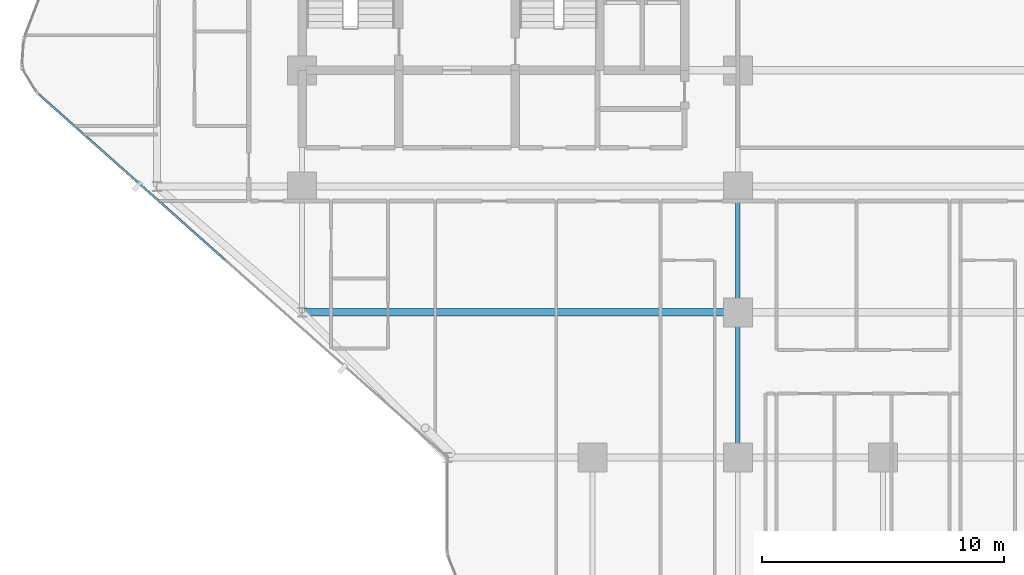
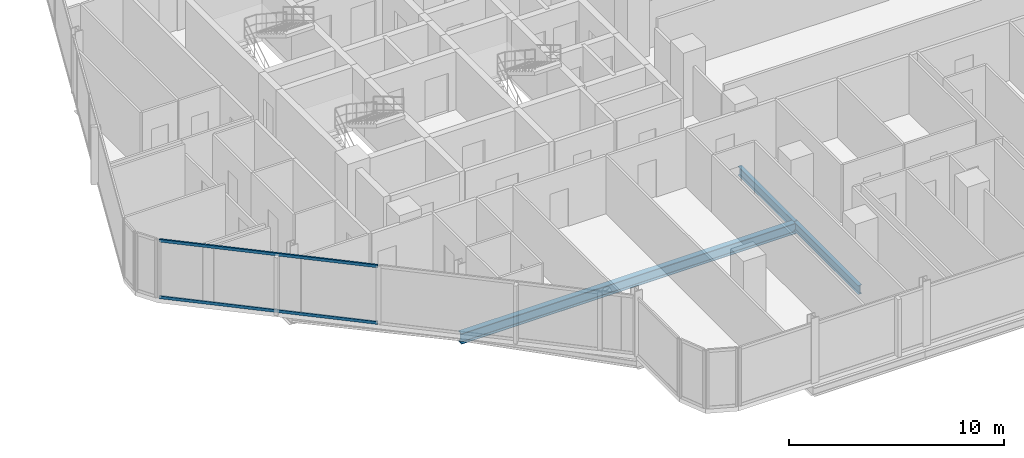
# One storey, part 5 of 34: 3 beams, 2 members, 1 element without a shape of its own.
"""IFC4 building model written with IfcOpenShell, lengths in metres."""

from ifc_helpers import new_model, si_unit, direction, frame, origin, origin_2d, place, context, subcontext, project, spatial, hollow_rectangle, i_section, extrude, material, layer, layer_set, material_profile, profile_set, type_object, element, aggregate, save


model = new_model("IFC4")

# Units and contexts
model_context = context("Model", 3, precision=1e-05, world=origin(), true_north=direction((0.0, 1.0)))
body_context = subcontext(model_context, "Body", "Model", "MODEL_VIEW")
ifc_project = project(units=[si_unit("LENGTHUNIT", "METRE"), si_unit("AREAUNIT", "SQUARE_METRE"), si_unit("VOLUMEUNIT", "CUBIC_METRE"), si_unit("PLANEANGLEUNIT", "RADIAN"), si_unit("MASSUNIT", "GRAM", prefix="KILO")], contexts=[model_context])

# Site, building, storey
site_placement = place(None, origin())
site = spatial("IfcSite", under=ifc_project, at=site_placement, CompositionType="ELEMENT")
building_placement = place(site_placement, origin())
building = spatial("IfcBuilding", under=site, at=building_placement, Name="Keshet Zoharim Tower", CompositionType="ELEMENT")
storey_placement = place(building_placement, frame((0.0, 0.0, 77.5)))
storey = spatial("IfcBuildingStorey", under=building, at=storey_placement, Name="L18", CompositionType="ELEMENT", Elevation=77.5)

# Beams
ifc_material_1 = material(Name="Steel S355", Category="steel")
ifc_material_profile_1 = material_profile(ifc_material_1, i_section(OverallWidth=0.300048828125, OverallDepth=0.60009765625, WebThickness=0.015380859375, FlangeThickness=0.030029296875, FilletRadius=0.027099609375, at=origin_2d()), Name="HEB600")
ifc_profile_set_1 = profile_set([ifc_material_profile_1], Name="Steel S355")
beam_type_1 = type_object("IfcBeamType", Name="BM-LNG-HB600", PredefinedType="BEAM", material=ifc_profile_set_1)
beam_1_placement = place(storey_placement, frame((15.0, 12.699951171875, -0.614990234375), z_axis=(1.0, 0.0, 0.0), x_axis=(0.0, 1.0, 0.0)))
element("IfcBeam", 1, at=beam_1_placement, inside=storey, type_object=beam_type_1, Name="L18 Primary Girder X-011", PredefinedType="BEAM", context=body_context, shape_type="SweptSolid", body=[
    extrude(i_section(OverallWidth=0.300048828125, OverallDepth=0.60009765625, WebThickness=0.015380859375, FlangeThickness=0.030029296875, FilletRadius=0.027099609375, at=origin_2d()), origin(), (0.0, 0.0, 1.0), 18.0),
])
ifc_material_profile_2 = material_profile(ifc_material_1, i_section(OverallWidth=0.199951171875, OverallDepth=0.5, WebThickness=0.01025390625, FlangeThickness=0.01611328125, FilletRadius=0.02099609375, at=origin_2d()), Name="IPE500")
ifc_profile_set_2 = profile_set([ifc_material_profile_2], Name="Steel S355")
beam_type_2 = type_object("IfcBeamType", Name="BM-PRI-IP500", PredefinedType="BEAM", material=ifc_profile_set_2)
beam_2_placement = place(storey_placement, frame((33.0, 6.699951171875, -0.56494140625), z_axis=(0.0, 1.0, 0.0), x_axis=(-1.0, 0.0, 0.0)))
element("IfcBeam", 2, at=beam_2_placement, inside=storey, type_object=beam_type_2, Name="L18 Primary Girder Y-006", PredefinedType="BEAM", context=body_context, shape_type="SweptSolid", body=[
    extrude(i_section(OverallWidth=0.199951171875, OverallDepth=0.5, WebThickness=0.01025390625, FlangeThickness=0.01611328125, FilletRadius=0.02099609375, at=origin_2d()), origin(), (0.0, 0.0, 1.0), 6.0),
])
beam_3_placement = place(storey_placement, frame((33.0, 12.699951171875, -0.56494140625), z_axis=(0.0, 1.0, 0.0), x_axis=(-1.0, 0.0, 0.0)))
element("IfcBeam", 3, at=beam_3_placement, inside=storey, type_object=beam_type_2, Name="L18 Primary Girder Y-007", PredefinedType="BEAM", context=body_context, shape_type="SweptSolid", body=[
    extrude(i_section(OverallWidth=0.199951171875, OverallDepth=0.5, WebThickness=0.01025390625, FlangeThickness=0.01611328125, FilletRadius=0.02099609375, at=origin_2d()), origin(), (0.0, 0.0, 1.0), 5.199951171875),
])

# Curtain wall, members
ifc_material_2 = material(Name="Aluminium 6063-T6", Category="aluminium")
ifc_layer = layer(ifc_material_2, 0.179931640625)
ifc_layer_set = layer_set([ifc_layer], Name="Aluminium 6063-T6")
curtain_wall_type = type_object("IfcCurtainWallType", Name="CW-SYS-01", PredefinedType="NOTDEFINED", material=ifc_layer_set)
curtain_wall_placement = place(storey_placement, origin())
curtain_wall = element("IfcCurtainWall", 4, at=curtain_wall_placement, inside=storey, type_object=curtain_wall_type, Name="L18 Unitised Curtain Wall 01 Part 2", PredefinedType="NOTDEFINED")
ifc_material_profile_3 = material_profile(ifc_material_2, hollow_rectangle(XDim=0.0849609375, YDim=0.159912109375, WallThickness=0.00439453125, at=origin_2d()), Name="TRN-85x160")
ifc_profile_set_3 = profile_set([ifc_material_profile_3], Name="Aluminium 6063-T6")
member_type = type_object("IfcMemberType", Name="CWT-T16", PredefinedType="USERDEFINED", material=ifc_profile_set_3)
member_1_placement = place(storey_placement, frame((11.833740234375, 14.84765625, 0.034912109375), z_axis=(-0.747404120125, 0.664369687163, 0.0), x_axis=(-0.664369687163, -0.747404120125, 0.0)))
member_1 = element("IfcMember", 5, at=member_1_placement, type_object=member_type, Name="CW-01 transom 2.1", ObjectType="TRANSOM", PredefinedType="USERDEFINED", context=body_context, shape_type="SweptSolid", body=[
    extrude(hollow_rectangle(XDim=0.0849609375, YDim=0.159912109375, WallThickness=0.00439453125, at=origin_2d()), origin(), (0.0, 0.0, 1.0), 10.3642578125),
])
member_2_placement = place(storey_placement, frame((11.833740234375, 14.84765625, 3.2451171875), z_axis=(-0.747404120125, 0.664369687163, 0.0), x_axis=(-0.664369687163, -0.747404120125, 0.0)))
member_2 = element("IfcMember", 6, at=member_2_placement, type_object=member_type, Name="CW-01 transom 2.2", ObjectType="TRANSOM", PredefinedType="USERDEFINED", context=body_context, shape_type="SweptSolid", body=[
    extrude(hollow_rectangle(XDim=0.0849609375, YDim=0.159912109375, WallThickness=0.00439453125, at=origin_2d()), origin(), (0.0, 0.0, 1.0), 10.3642578125),
])
aggregate(curtain_wall, [member_1, member_2])

save(model, "model.ifc")
